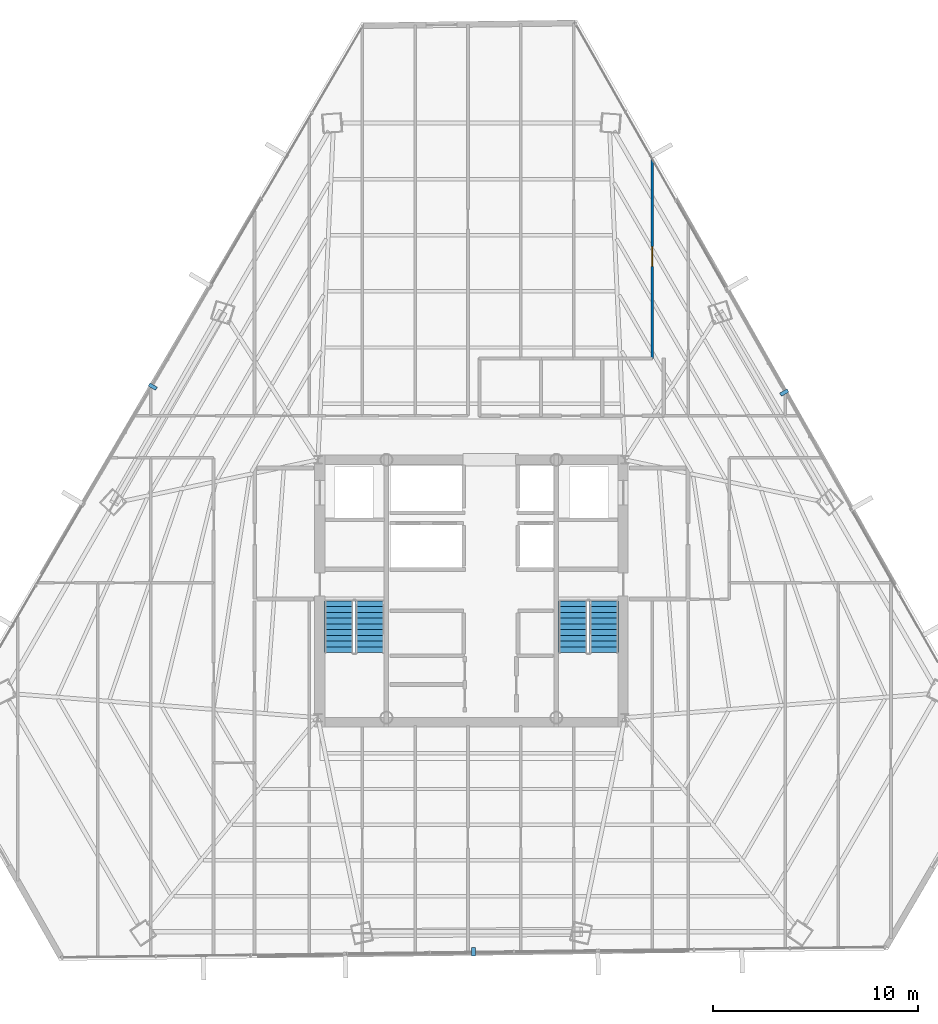
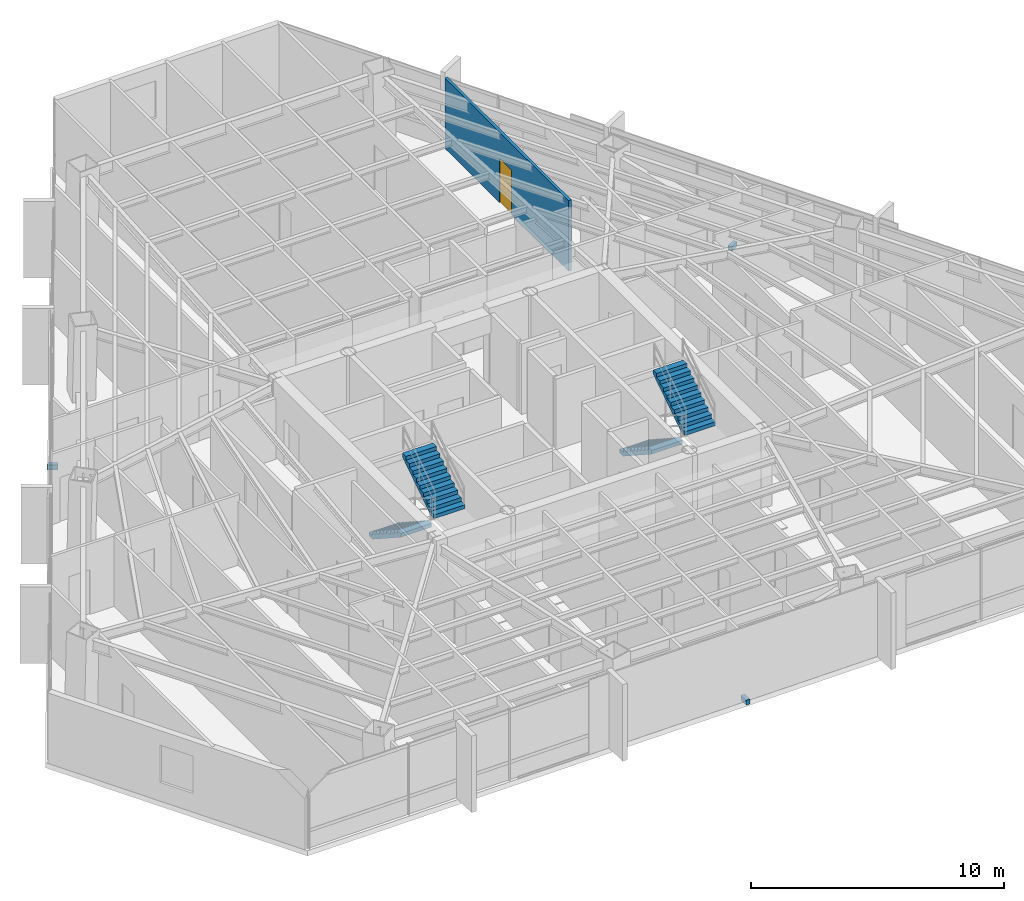
# One storey, part 39 of 42: 4 stair flights, 3 discrete accessories, 1 door, 1 wall, 1 opening, 2 elements without a shape of their own.
"""IFC4 building model written with IfcOpenShell, lengths in metres."""

import ifcopenshell
import ifcopenshell.guid

model = None  # the IFC model being written
_history = None  # IfcOwnerHistory: only IFC2X3 demands one
_inside = {}  # id of a spatial element -> (the spatial element, [elements in it])
_under = {}  # id of a project, library or spatial element -> (it, [spatial elements below it])
_declared = {}  # id of a project -> (the project, [libraries it declares])
_typed = {}  # id of a type object -> (the type object, [elements of that type])
_made_of = {}  # id of a material, layer set ... -> (it, [elements and type objects made of it])


def new_model(schema):
    """Start an empty IFC model of exactly this schema.

    Asked for "IFC4X3", IfcOpenShell would pick the latest addendum, in which some entities
    have other attributes; the version numbers below select the first issue.
    IFC2X3 requires an IfcOwnerHistory on every rooted entity: one is made here for all.
    """
    global model, _history
    if schema == "IFC4X3":
        model = ifcopenshell.file(schema_version=(4, 3, 0, 0))
    else:
        model = ifcopenshell.file(schema=schema)
    _inside.clear()
    _under.clear()
    _declared.clear()
    _typed.clear()
    _made_of.clear()
    _history = None
    if model.schema == "IFC2X3":
        org = make("IfcOrganization", Name="unknown")
        user = make(
            "IfcPersonAndOrganization",
            ThePerson=make("IfcPerson", FamilyName="unknown"),
            TheOrganization=org,
        )
        app = make(
            "IfcApplication",
            ApplicationDeveloper=org,
            Version="unknown",
            ApplicationFullName="unknown",
            ApplicationIdentifier="unknown",
        )
        _history = make(
            "IfcOwnerHistory",
            OwningUser=user,
            OwningApplication=app,
            ChangeAction="ADDED",
            CreationDate=0,
        )
    return model


def make(cls, **values):
    """One entity of the class cls with the attributes given. An attribute that is None is left unset."""
    return model.create_entity(
        cls, **{name: value for name, value in values.items() if value is not None}
    )


def rooted(cls, **values):
    """An entity with a GlobalId (a new one), such as an element, a storey or a relation."""
    return make(cls, GlobalId=ifcopenshell.guid.new(), OwnerHistory=_history, **values)


def si_unit(unit_type, name, prefix=None):
    """IfcSIUnit, for example si_unit("LENGTHUNIT", "METRE", prefix="MILLI")."""
    return make("IfcSIUnit", UnitType=unit_type, Prefix=prefix, Name=name)


def assignment(units):
    """IfcUnitAssignment: the units of a project."""
    return None if units is None else make("IfcUnitAssignment", Units=units)


def point(xyz):
    """IfcCartesianPoint."""
    return None if xyz is None else make("IfcCartesianPoint", Coordinates=xyz)


def direction(xyz):
    """IfcDirection."""
    return None if xyz is None else make("IfcDirection", DirectionRatios=xyz)


def frame(location, z_axis=None, x_axis=None):
    """IfcAxis2Placement3D, a coordinate frame: its origin and axes. An axis left out is left unset."""
    return make(
        "IfcAxis2Placement3D",
        Location=point(location),
        Axis=direction(z_axis),
        RefDirection=direction(x_axis),
    )


def frame_2d(location, x_axis=None):
    """IfcAxis2Placement2D, a coordinate frame in the plane: its origin and x axis."""
    return make(
        "IfcAxis2Placement2D", Location=point(location), RefDirection=direction(x_axis)
    )


def origin():
    """The frame at (0, 0, 0) with its axes left unset."""
    return frame((0.0, 0.0, 0.0))


def origin_2d():
    """The frame at (0, 0) in the plane with its x axis left unset."""
    return frame_2d((0.0, 0.0))


def place(relative_to, where):
    """IfcLocalPlacement: puts the frame where relative to a parent placement (None: the world)."""
    return make(
        "IfcLocalPlacement", PlacementRelTo=relative_to, RelativePlacement=where
    )


def context(
    kind, dimensions, precision=None, world=None, true_north=None, identifier=None
):
    """IfcGeometricRepresentationContext, for example the 3D "Model" context."""
    return make(
        "IfcGeometricRepresentationContext",
        ContextIdentifier=identifier,
        ContextType=kind,
        CoordinateSpaceDimension=dimensions,
        Precision=precision,
        WorldCoordinateSystem=world,
        TrueNorth=true_north,
    )


def subcontext(parent, identifier, kind, view, scale=None):
    """IfcGeometricRepresentationSubContext, for example "Body" below "Model"."""
    return make(
        "IfcGeometricRepresentationSubContext",
        ContextIdentifier=identifier,
        ContextType=kind,
        ParentContext=parent,
        TargetScale=scale,
        TargetView=view,
    )


def project(units=None, contexts=None):
    """IfcProject with its units and contexts."""
    return rooted(
        "IfcProject",
        Name="project",
        RepresentationContexts=contexts,
        UnitsInContext=assignment(units),
    )


def spatial(cls, under=None, at=None, **own):
    """A site, building, storey or space (cls), placed at a placement, below another one or the project."""
    s = rooted(cls, ObjectPlacement=at, **own)
    if under is not None:
        _under.setdefault(under.id(), (under, []))[1].append(s)
    return s


def polyline(points):
    """IfcPolyline through the points."""
    return make("IfcPolyline", Points=[point(p) for p in points])


def profile(cls, at=None, kind="AREA", **sizes):
    """A parametric profile (cls). Its sizes go by their IFC names, for example OverallWidth=200.0."""
    return make(cls, ProfileType=kind, Position=at, **sizes)


def rectangle(**sizes):
    """IfcRectangleProfileDef."""
    return profile("IfcRectangleProfileDef", **sizes)


def outline(outer, holes=None, kind="AREA"):
    """IfcArbitraryClosedProfileDef: a profile drawn as a closed curve; with holes, ...WithVoids."""
    if holes is None:
        return make("IfcArbitraryClosedProfileDef", ProfileType=kind, OuterCurve=outer)
    return make(
        "IfcArbitraryProfileDefWithVoids",
        ProfileType=kind,
        OuterCurve=outer,
        InnerCurves=holes,
    )


def extrude(swept, where, along, depth):
    """IfcExtrudedAreaSolid: the profile swept, set in the frame where, extruded along a direction by depth."""
    return make(
        "IfcExtrudedAreaSolid",
        SweptArea=swept,
        Position=where,
        ExtrudedDirection=direction(along),
        Depth=depth,
    )


def shape(context_of_items, identifier, shape_type, items):
    """IfcShapeRepresentation: the items that make up one representation, for example the "Body"."""
    return make(
        "IfcShapeRepresentation",
        ContextOfItems=context_of_items,
        RepresentationIdentifier=identifier,
        RepresentationType=shape_type,
        Items=items,
    )


def source(mapping_origin, context_of_items, identifier, shape_type, items):
    """IfcRepresentationMap: a shape defined once, which mapped items show again and again."""
    return make(
        "IfcRepresentationMap",
        MappingOrigin=mapping_origin,
        MappedRepresentation=shape(context_of_items, identifier, shape_type, items),
    )


def transform(
    local_origin,
    x_axis=None,
    y_axis=None,
    z_axis=None,
    scale=None,
    scale2=None,
    scale3=None,
    uniform=True,
):
    """IfcCartesianTransformationOperator3D, or its non-uniform kind. x_axis, y_axis, z_axis: its Axis1, 2, 3."""
    if uniform:
        return make(
            "IfcCartesianTransformationOperator3D",
            Axis1=direction(x_axis),
            Axis2=direction(y_axis),
            LocalOrigin=point(local_origin),
            Scale=scale,
            Axis3=direction(z_axis),
        )
    return make(
        "IfcCartesianTransformationOperator3DnonUniform",
        Axis1=direction(x_axis),
        Axis2=direction(y_axis),
        LocalOrigin=point(local_origin),
        Scale=scale,
        Axis3=direction(z_axis),
        Scale2=scale2,
        Scale3=scale3,
    )


def mapped(mapping_source, mapping_target):
    """IfcMappedItem: shows the shape of a source again, moved by a transform."""
    return make(
        "IfcMappedItem", MappingSource=mapping_source, MappingTarget=mapping_target
    )


def material(Name=None, Category=None):
    """IfcMaterial."""
    return make("IfcMaterial", Name=Name, Category=Category)


def layer(
    of_material, thickness, ventilated=None, Name=None, Category=None, Priority=None
):
    """IfcMaterialLayer: one layer of a wall or slab, of a material (None: an air gap)."""
    return make(
        "IfcMaterialLayer",
        Material=of_material,
        LayerThickness=thickness,
        IsVentilated=ventilated,
        Name=Name,
        Category=Category,
        Priority=Priority,
    )


def layer_set(layers, Name=None):
    """IfcMaterialLayerSet."""
    return make("IfcMaterialLayerSet", MaterialLayers=layers, LayerSetName=Name)


def made_of(thing, what):
    """Note that an element or type object is made of a material, layer set ...; save() writes the relation."""
    if what is not None:
        _made_of.setdefault(what.id(), (what, []))[1].append(thing)
    return thing


def type_object(cls, material=None, **own):
    """A type object (cls), such as IfcWallType, which elements share."""
    return made_of(rooted(cls, **own), material)


def type_shapes(of_type, sources):
    """Give a type object the sources (RepresentationMaps) that its elements show as mapped items."""
    of_type.RepresentationMaps = sources


def element(
    cls,
    number,
    at=None,
    inside=None,
    cuts=None,
    type_object=None,
    material=None,
    context=None,
    identifier="Body",
    shape_type=None,
    held_by="IfcProductDefinitionShape",
    body=None,
    shapes=None,
    **own,
):
    """One element of the class cls, such as IfcWall. Its Tag is "e" and its number.

    at: its placement. inside: the storey or other place that contains it. cuts: it is an
    opening in that element (IfcRelVoidsElement). A single representation is given by context,
    identifier, shape_type and body (its items); several are given by shapes. held_by: the class
    of the entity that holds the representations. save() writes the other relations.
    """
    e = rooted(cls, Tag="e%d" % number, ObjectPlacement=at, **own)
    if body is not None:
        shapes = [shape(context, identifier, shape_type, body)]
    if shapes is not None:
        e.Representation = make(held_by, Representations=shapes)
    if inside is not None:
        _inside.setdefault(inside.id(), (inside, []))[1].append(e)
    if cuts is not None:
        rooted(
            "IfcRelVoidsElement", RelatingBuildingElement=cuts, RelatedOpeningElement=e
        )
    if type_object is not None:
        _typed.setdefault(type_object.id(), (type_object, []))[1].append(e)
    return made_of(e, material)


def fill(opening, filler):
    """IfcRelFillsElement: the door or window that sits in an opening."""
    return rooted(
        "IfcRelFillsElement",
        RelatingOpeningElement=opening,
        RelatedBuildingElement=filler,
    )


def aggregate(whole, parts):
    """IfcRelAggregates: a whole, such as a stair, and the parts it consists of."""
    return rooted("IfcRelAggregates", RelatingObject=whole, RelatedObjects=parts)


def save(model, path):
    """Write the relations noted so far, then the file.

    IfcRelAggregates (storeys below a building ...), IfcRelContainedInSpatialStructure (elements
    in a storey), IfcRelDefinesByType, IfcRelAssociatesMaterial and IfcRelDeclares: one each for
    every whole, place, type object, material and project.
    """
    for whole, parts in _under.values():
        aggregate(whole, parts)
    for where, things in _inside.values():
        rooted(
            "IfcRelContainedInSpatialStructure",
            RelatedElements=things,
            RelatingStructure=where,
        )
    for kind, things in _typed.values():
        rooted("IfcRelDefinesByType", RelatedObjects=things, RelatingType=kind)
    for what, things in _made_of.values():
        rooted("IfcRelAssociatesMaterial", RelatedObjects=things, RelatingMaterial=what)
    for by, libraries in _declared.values():
        rooted("IfcRelDeclares", RelatingContext=by, RelatedDefinitions=libraries)
    model.write(path)


model = new_model("IFC4")

# Units and contexts
model_context = context("Model", 3, precision=1e-05, world=origin(), true_north=direction((0.0, 1.0)))
body_context = subcontext(model_context, "Body", "Model", "MODEL_VIEW")
ifc_project = project(units=[si_unit("LENGTHUNIT", "METRE"), si_unit("AREAUNIT", "SQUARE_METRE"), si_unit("VOLUMEUNIT", "CUBIC_METRE"), si_unit("PLANEANGLEUNIT", "RADIAN"), si_unit("MASSUNIT", "GRAM", prefix="KILO")], contexts=[model_context])

# Site, building, storey
site_placement = place(None, origin())
site = spatial("IfcSite", under=ifc_project, at=site_placement, CompositionType="ELEMENT")
building_placement = place(site_placement, origin())
building = spatial("IfcBuilding", under=site, at=building_placement, Name="Caelisora Broadcast Tower", CompositionType="ELEMENT")
storey_placement = place(building_placement, frame((0.0, 0.0, 131.800048828125)))
storey = spatial("IfcBuildingStorey", under=building, at=storey_placement, Name="L34", CompositionType="ELEMENT", Elevation=131.800048828125)

# Wall, opening, door
ifc_material_1 = material(Name="Acoustic Steel-Stud Plasterboard Partition", Category="gypsum")
ifc_layer = layer(ifc_material_1, 0.1298828125, Name="Acoustic Steel-Stud Plasterboard Partition")
ifc_layer_set = layer_set([ifc_layer], Name="Acoustic Steel-Stud Plasterboard Partition")
wall_type = type_object("IfcWallType", Name="PW3", PredefinedType="PARTITIONING", material=ifc_layer_set)
wall_placement = place(storey_placement, frame((46.830078125, 34.955078125, 0.0), z_axis=(0.0, 0.0, 1.0), x_axis=(0.0, 1.0, 0.0)))
wall = element("IfcWall", 1, at=wall_placement, inside=storey, type_object=wall_type, Name="L34 internal partition PW3", PredefinedType="PARTITIONING", context=body_context, shape_type="SweptSolid", body=[
    extrude(rectangle(XDim=9.774169921875, YDim=0.1298828125, at=frame_2d((4.88720703125, 0.0))), origin(), (0.0, 0.0, 1.0), 3.39990234375),
])
opening_placement = place(wall_placement, frame((4.5029296875, 0.0, 0.0)))
opening = element("IfcOpeningElement", 2, at=opening_placement, cuts=wall, Name="Opening D01", PredefinedType="OPENING", context=body_context, shape_type="SweptSolid", body=[
    extrude(rectangle(XDim=0.9599609375, YDim=2.14990234375, at=frame_2d((0.47998046875, 1.074951171875))), frame((0.0, 0.076904296875, 0.0), z_axis=(0.0, -1.0, 0.0), x_axis=(1.0, 0.0, 0.0)), (0.0, 0.0, 1.0), 0.15380859375),
])
ifc_material_2 = material(Name="Solid-Core Timber Acoustic Office Door", Category="wood")
door_type = type_object("IfcDoorType", Name="D01", OperationType="NOTDEFINED", PredefinedType="DOOR", material=ifc_material_2)
door_placement = place(opening_placement, origin())
door = element("IfcDoor", 3, at=door_placement, inside=storey, type_object=door_type, Name="L34 door D01 (L34-DR-P49D1)", OperationType="SINGLE_SWING_RIGHT", OverallHeight=2.14990234375, OverallWidth=0.9599609375, PredefinedType="DOOR", context=body_context, shape_type="SweptSolid", body=[
    extrude(rectangle(XDim=0.9599609375, YDim=2.14990234375, at=frame_2d((0.47998046875, 1.074951171875))), frame((0.0, 0.02490234375, 0.0), z_axis=(0.0, -1.0, 0.0), x_axis=(1.0, 0.0, 0.0)), (0.0, 0.0, 1.0), 0.050048828125),
])
fill(opening, door)

# Stair, stair flights
ifc_material_3 = material(Name="Concrete 40 MPa (AS 3600 N40)", Category="concrete")
stair_type_1 = type_object("IfcStairType", Name="ST-1", PredefinedType="HALF_TURN_STAIR", material=ifc_material_3)
stair_1_placement = place(storey_placement, origin())
stair_1 = element("IfcStair", 4, at=stair_1_placement, inside=storey, type_object=stair_type_1, Name="L34 West Fire-Isolated Tower Stair", PredefinedType="HALF_TURN_STAIR")
stair_flight_type = type_object("IfcStairFlightType", Name="STF-3", PredefinedType="STRAIGHT", material=ifc_material_3)
stair_flight_1_placement = place(storey_placement, frame((31.52001953125, 23.10009765625, 0.0), z_axis=(0.0, 0.0, 1.0), x_axis=(0.0, -1.0, 0.0)))
stair_flight_1 = element("IfcStairFlight", 5, at=stair_flight_1_placement, type_object=stair_flight_type, Name="ST-1 flight 1", NumberOfRisers=10, NumberOfTreads=9, PredefinedType="STRAIGHT", RiserHeight=0.1825, TreadLength=0.28, context=body_context, shape_type="SweptSolid", body=[
    extrude(outline(polyline([(0.0, 0.0), (0.0, 0.1826171875), (0.280029296875, 0.1826171875), (0.280029296875, 0.364990234375), (0.56005859375, 0.364990234375), (0.56005859375, 0.547607421875), (0.840087890625, 0.547607421875), (0.840087890625, 0.72998046875), (1.1201171875, 0.72998046875), (1.1201171875, 0.91259765625), (1.39990234375, 0.91259765625), (1.39990234375, 1.094970703125), (1.679931640625, 1.094970703125), (1.679931640625, 1.277587890625), (1.9599609375, 1.277587890625), (1.9599609375, 1.4599609375), (2.239990234375, 1.4599609375), (2.239990234375, 1.642578125), (2.52001953125, 1.642578125), (2.52001953125, 1.824951171875), (2.52001953125, 1.463623046875), (0.2744140625, 0.0), (0.0, 0.0)])), frame((0.0, 0.699951171875, 0.0), z_axis=(0.0, -1.0, 0.0), x_axis=(1.0, 0.0, 0.0)), (0.0, 0.0, 1.0), 1.39990234375),
])
stair_flight_2_placement = place(storey_placement, frame((33.0400390625, 20.580078125, 1.824951171875), z_axis=(0.0, 0.0, 1.0), x_axis=(0.0, 1.0, 0.0)))
stair_flight_2 = element("IfcStairFlight", 6, at=stair_flight_2_placement, type_object=stair_flight_type, Name="ST-1 flight 2", NumberOfRisers=10, NumberOfTreads=9, PredefinedType="STRAIGHT", RiserHeight=0.1825, TreadLength=0.28, context=body_context, shape_type="SweptSolid", body=[
    extrude(outline(polyline([(0.0, 0.0), (0.0, 0.1826171875), (0.280029296875, 0.1826171875), (0.280029296875, 0.364990234375), (0.56005859375, 0.364990234375), (0.56005859375, 0.547607421875), (0.840087890625, 0.547607421875), (0.840087890625, 0.72998046875), (1.1201171875, 0.72998046875), (1.1201171875, 0.91259765625), (1.39990234375, 0.91259765625), (1.39990234375, 1.094970703125), (1.679931640625, 1.094970703125), (1.679931640625, 1.277587890625), (1.9599609375, 1.277587890625), (1.9599609375, 1.4599609375), (2.239990234375, 1.4599609375), (2.239990234375, 1.642578125), (2.52001953125, 1.642578125), (2.52001953125, 1.824951171875), (2.52001953125, 1.463623046875), (0.2744140625, 0.0), (0.0, 0.0)])), frame((0.0, 0.699951171875, 0.0), z_axis=(0.0, -1.0, 0.0), x_axis=(1.0, 0.0, 0.0)), (0.0, 0.0, 1.0), 1.39990234375),
])
aggregate(stair_1, [stair_flight_1, stair_flight_2])

stair_type_2 = type_object("IfcStairType", Name="ST-2", PredefinedType="HALF_TURN_STAIR", material=ifc_material_3)
stair_2_placement = place(storey_placement, origin())
stair_2 = element("IfcStair", 7, at=stair_2_placement, inside=storey, type_object=stair_type_2, Name="L34 East Fire-Isolated Tower Stair", PredefinedType="HALF_TURN_STAIR")
stair_flight_3_placement = place(storey_placement, frame((42.9599609375, 23.10009765625, 0.0), z_axis=(0.0, 0.0, 1.0), x_axis=(0.0, -1.0, 0.0)))
stair_flight_3 = element("IfcStairFlight", 8, at=stair_flight_3_placement, type_object=stair_flight_type, Name="ST-2 flight 1", NumberOfRisers=10, NumberOfTreads=9, PredefinedType="STRAIGHT", RiserHeight=0.1825, TreadLength=0.28, context=body_context, shape_type="SweptSolid", body=[
    extrude(outline(polyline([(0.0, 0.0), (0.0, 0.1826171875), (0.280029296875, 0.1826171875), (0.280029296875, 0.364990234375), (0.56005859375, 0.364990234375), (0.56005859375, 0.547607421875), (0.840087890625, 0.547607421875), (0.840087890625, 0.72998046875), (1.1201171875, 0.72998046875), (1.1201171875, 0.91259765625), (1.39990234375, 0.91259765625), (1.39990234375, 1.094970703125), (1.679931640625, 1.094970703125), (1.679931640625, 1.277587890625), (1.9599609375, 1.277587890625), (1.9599609375, 1.4599609375), (2.239990234375, 1.4599609375), (2.239990234375, 1.642578125), (2.52001953125, 1.642578125), (2.52001953125, 1.824951171875), (2.52001953125, 1.463623046875), (0.2744140625, 0.0), (0.0, 0.0)])), frame((0.0, 0.699951171875, 0.0), z_axis=(0.0, -1.0, 0.0), x_axis=(1.0, 0.0, 0.0)), (0.0, 0.0, 1.0), 1.39990234375),
])
stair_flight_4_placement = place(storey_placement, frame((44.47998046875, 20.580078125, 1.824951171875), z_axis=(0.0, 0.0, 1.0), x_axis=(0.0, 1.0, 0.0)))
stair_flight_4 = element("IfcStairFlight", 9, at=stair_flight_4_placement, type_object=stair_flight_type, Name="ST-2 flight 2", NumberOfRisers=10, NumberOfTreads=9, PredefinedType="STRAIGHT", RiserHeight=0.1825, TreadLength=0.28, context=body_context, shape_type="SweptSolid", body=[
    extrude(outline(polyline([(0.0, 0.0), (0.0, 0.1826171875), (0.280029296875, 0.1826171875), (0.280029296875, 0.364990234375), (0.56005859375, 0.364990234375), (0.56005859375, 0.547607421875), (0.840087890625, 0.547607421875), (0.840087890625, 0.72998046875), (1.1201171875, 0.72998046875), (1.1201171875, 0.91259765625), (1.39990234375, 0.91259765625), (1.39990234375, 1.094970703125), (1.679931640625, 1.094970703125), (1.679931640625, 1.277587890625), (1.9599609375, 1.277587890625), (1.9599609375, 1.4599609375), (2.239990234375, 1.4599609375), (2.239990234375, 1.642578125), (2.52001953125, 1.642578125), (2.52001953125, 1.824951171875), (2.52001953125, 1.463623046875), (0.2744140625, 0.0), (0.0, 0.0)])), frame((0.0, 0.699951171875, 0.0), z_axis=(0.0, -1.0, 0.0), x_axis=(1.0, 0.0, 0.0)), (0.0, 0.0, 1.0), 1.39990234375),
])
aggregate(stair_2, [stair_flight_3, stair_flight_4])

# Discrete accessories
ifc_material_4 = material(Name="Steel Grade 350 (AS/NZS 3679.1)", Category="steel")
discrete_accessory_type = type_object("IfcDiscreteAccessoryType", Name="BRK-1", PredefinedType="BRACKET", material=ifc_material_4)
shared_shape = source(origin(), body_context, "Body", "SweptSolid", [
    extrude(rectangle(XDim=0.179931640625, YDim=0.419921875, at=origin_2d()), origin(), (0.0, 0.0, 1.0), 0.219970703125),
])
type_shapes(discrete_accessory_type, [shared_shape])
for number, where, z_axis, x_axis, name in (
    (10, (22.429443359375, 33.57568359375, -0.16015625), (0.0, 0.0, 1.0), (-0.504527623815, -0.863395550607, 0.0), "L34 solar screen outrigger bracket #1"),
    (11, (38.10009765625, 5.9619140625, -0.16015625), (0.0, 0.0, 1.0), (0.999921044204, 0.012566039883, 0.0), "L34 solar screen outrigger bracket #2"),
    (12, (53.285888671875, 33.28466796875, -0.16015625), (0.0, 0.0, 1.0), (-0.493638325511, 0.869667294767, 0.0), "L34 solar screen outrigger bracket #3"),
):
    element("IfcDiscreteAccessory", number, at=place(storey_placement, frame(where, z_axis=z_axis, x_axis=x_axis)), inside=storey, type_object=discrete_accessory_type, Name=name, PredefinedType="BRACKET", context=body_context, shape_type="MappedRepresentation", body=[
        mapped(shared_shape, transform((0.0, 0.0, 0.0), scale=1.0)),
    ])

save(model, "model.ifc")
